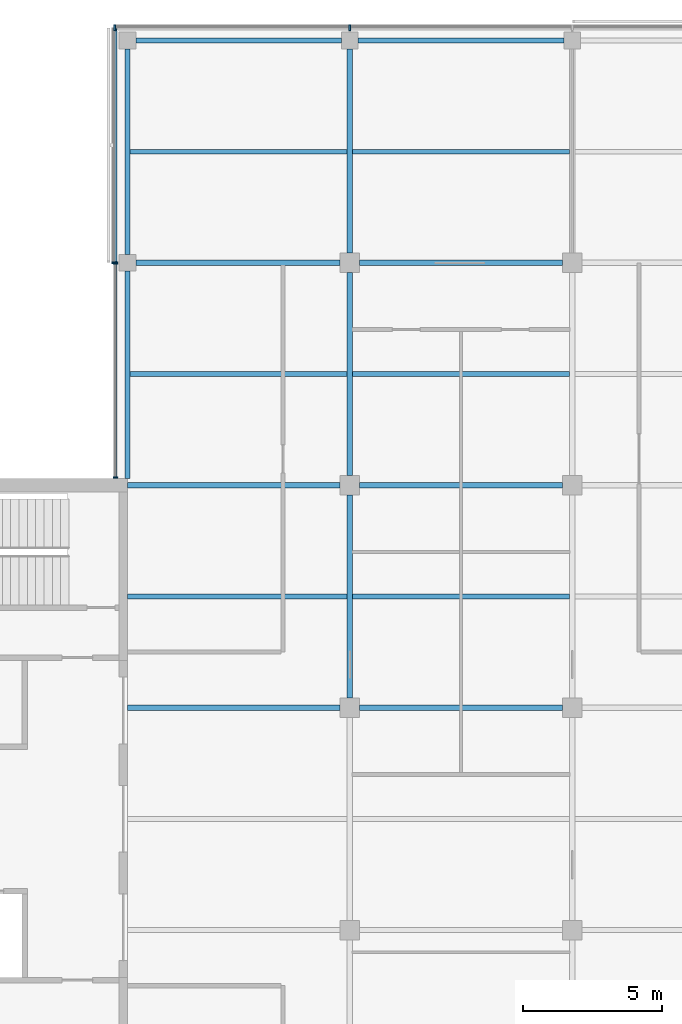
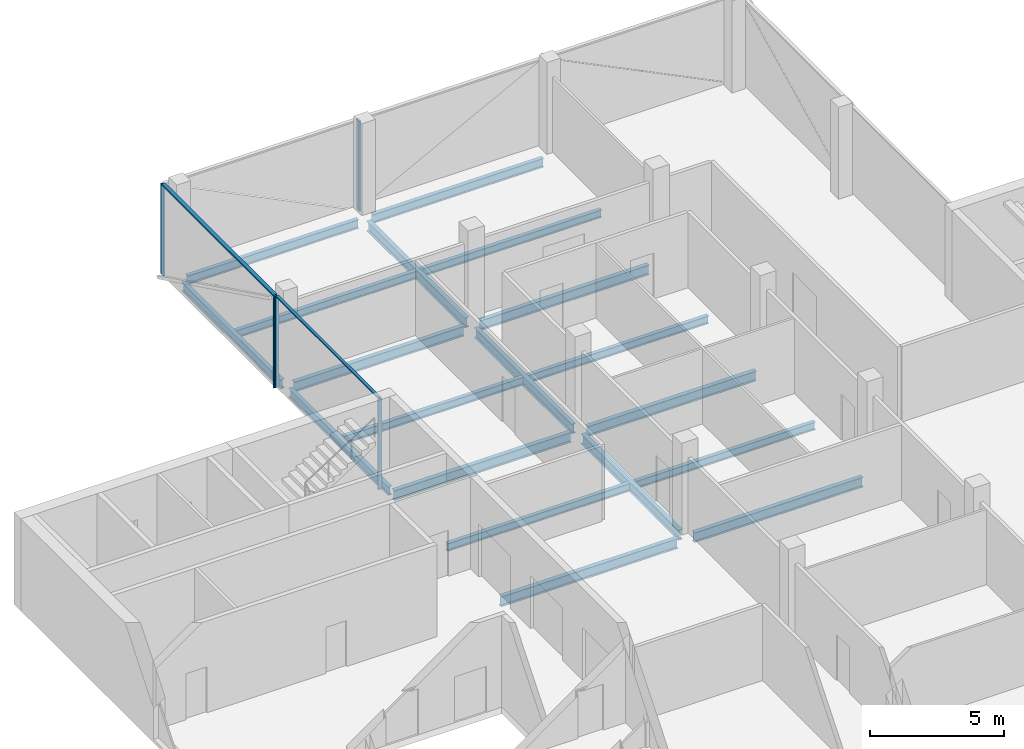
# One storey, part 5 of 15: 19 beams, 7 members, 3 elements without a shape of their own.
"""IFC4 building model written with IfcOpenShell, lengths in metres."""

from ifc_helpers import new_model, si_unit, direction, frame, origin, origin_2d, place, context, subcontext, project, spatial, rectangle, i_section, extrude, material, material_profile, profile_set, type_object, element, aggregate, save


model = new_model("IFC4")

# Units and contexts
model_context = context("Model", 3, precision=1e-05, world=origin(), true_north=direction((0.0, 1.0)))
body_context = subcontext(model_context, "Body", "Model", "MODEL_VIEW")
ifc_project = project(units=[si_unit("LENGTHUNIT", "METRE"), si_unit("AREAUNIT", "SQUARE_METRE"), si_unit("VOLUMEUNIT", "CUBIC_METRE"), si_unit("PLANEANGLEUNIT", "RADIAN"), si_unit("MASSUNIT", "GRAM", prefix="KILO")], contexts=[model_context])

# Site, building, storey
site_placement = place(None, origin())
site = spatial("IfcSite", under=ifc_project, at=site_placement, CompositionType="ELEMENT")
building_placement = place(site_placement, origin())
building = spatial("IfcBuilding", under=site, at=building_placement, Name="Crosswind Convention Tower", CompositionType="ELEMENT")
storey_placement = place(building_placement, frame((0.0, 0.0, 261.89990234375)))
storey = spatial("IfcBuildingStorey", under=building, at=storey_placement, Name="L56", CompositionType="ELEMENT", Elevation=261.89990234375)

# Beams
ifc_material_1 = material(Name="Steel S355", Category="steel")
ifc_material_profile_1 = material_profile(ifc_material_1, i_section(OverallWidth=0.177734375, OverallDepth=0.406494140625, WebThickness=0.0078125, FlangeThickness=0.0126953125, FilletRadius=0.01025390625, at=origin_2d()), Name="UB 406x178x60")
ifc_profile_set_1 = profile_set([ifc_material_profile_1], Name="Steel S355")
beam_type_1 = type_object("IfcBeamType", Name="Edge beam UB 406x178x60", PredefinedType="SPANDREL", material=ifc_profile_set_1)
beam_1_placement = place(storey_placement, frame((113.0, 112.25, -0.503173828125), z_axis=(0.0, 1.0, 0.0), x_axis=(-1.0, 0.0, 0.0)))
element("IfcBeam", 1, at=beam_1_placement, inside=storey, type_object=beam_type_1, Name="B15 L56 edge beam 3", PredefinedType="SPANDREL", context=body_context, shape_type="SweptSolid", body=[
    extrude(i_section(OverallWidth=0.177734375, OverallDepth=0.406494140625, WebThickness=0.0078125, FlangeThickness=0.0126953125, FilletRadius=0.01025390625, at=origin_2d()), origin(), (0.0, 0.0, 1.0), 7.449951171875),
])
for number, where, z_axis, x_axis, name in (
    (2, (113.0, 120.300048828125, -0.503173828125), (0.0, 1.0, 0.0), (-1.0, 0.0, 0.0), "B15 L56 edge beam 4"),
    (3, (113.300048828125, 128.0, -0.503173828125), (1.0, 0.0, 0.0), (0.0, 1.0, 0.0), "B15 L56 edge beam 6"),
    (4, (121.300048828125, 128.0, -0.503173828125), (1.0, 0.0, 0.0), (0.0, 1.0, 0.0), "B15 L56 edge beam 8"),
):
    element("IfcBeam", number, at=place(storey_placement, frame(where, z_axis=z_axis, x_axis=x_axis)), inside=storey, type_object=beam_type_1, Name=name, PredefinedType="SPANDREL", context=body_context, shape_type="SweptSolid", body=[
        extrude(i_section(OverallWidth=0.177734375, OverallDepth=0.406494140625, WebThickness=0.0078125, FlangeThickness=0.0126953125, FilletRadius=0.01025390625, at=origin_2d()), origin(), (0.0, 0.0, 1.0), 7.39990234375),
    ])
ifc_material_profile_2 = material_profile(ifc_material_1, i_section(OverallWidth=0.18994140625, OverallDepth=0.45361328125, WebThickness=0.008544921875, FlangeThickness=0.0126953125, FilletRadius=0.01025390625, at=origin_2d()), Name="UB 457x191x67")
ifc_profile_set_2 = profile_set([ifc_material_profile_2], Name="Steel S355")
beam_type_2 = type_object("IfcBeamType", Name="Girder UB 457x191x67", PredefinedType="BEAM", material=ifc_profile_set_2)
beam_2_placement = place(storey_placement, frame((113.300048828125, 120.0, -0.526611328125), z_axis=(1.0, 0.0, 0.0), x_axis=(0.0, 1.0, 0.0)))
element("IfcBeam", 5, at=beam_2_placement, inside=storey, type_object=beam_type_2, Name="B1 L56 girder 2", PredefinedType="BEAM", context=body_context, shape_type="SweptSolid", body=[
    extrude(i_section(OverallWidth=0.18994140625, OverallDepth=0.45361328125, WebThickness=0.008544921875, FlangeThickness=0.0126953125, FilletRadius=0.01025390625, at=origin_2d()), origin(), (0.0, 0.0, 1.0), 7.349853515625),
])
for number, where, z_axis, x_axis, name in (
    (6, (121.0, 104.35009765625, -0.526611328125), (0.0, 1.0, 0.0), (-1.0, 0.0, 0.0), "B1 L56 girder 7"),
    (7, (121.0, 112.35009765625, -0.526611328125), (0.0, 1.0, 0.0), (-1.0, 0.0, 0.0), "B1 L56 girder 8"),
):
    element("IfcBeam", number, at=place(storey_placement, frame(where, z_axis=z_axis, x_axis=x_axis)), inside=storey, type_object=beam_type_2, Name=name, PredefinedType="BEAM", context=body_context, shape_type="SweptSolid", body=[
        extrude(i_section(OverallWidth=0.18994140625, OverallDepth=0.45361328125, WebThickness=0.008544921875, FlangeThickness=0.0126953125, FilletRadius=0.01025390625, at=origin_2d()), origin(), (0.0, 0.0, 1.0), 7.2998046875),
    ])
beam_3_placement = place(storey_placement, frame((121.0, 120.35009765625, -0.526611328125), z_axis=(0.0, 1.0, 0.0), x_axis=(-1.0, 0.0, 0.0)))
element("IfcBeam", 8, at=beam_3_placement, inside=storey, type_object=beam_type_2, Name="B1 L56 girder 9", PredefinedType="BEAM", context=body_context, shape_type="SweptSolid", body=[
    extrude(i_section(OverallWidth=0.18994140625, OverallDepth=0.45361328125, WebThickness=0.008544921875, FlangeThickness=0.0126953125, FilletRadius=0.01025390625, at=origin_2d()), origin(), (0.0, 0.0, 1.0), 7.349853515625),
])
for number, where, z_axis, x_axis, name in (
    (9, (121.35009765625, 104.0, -0.526611328125), (1.0, 0.0, 0.0), (0.0, 1.0, 0.0), "B1 L56 girder 13"),
    (10, (121.35009765625, 112.0, -0.526611328125), (1.0, 0.0, 0.0), (0.0, 1.0, 0.0), "B1 L56 girder 14"),
    (11, (121.35009765625, 120.0, -0.526611328125), (1.0, 0.0, 0.0), (0.0, 1.0, 0.0), "B1 L56 girder 15"),
):
    element("IfcBeam", number, at=place(storey_placement, frame(where, z_axis=z_axis, x_axis=x_axis)), inside=storey, type_object=beam_type_2, Name=name, PredefinedType="BEAM", context=body_context, shape_type="SweptSolid", body=[
        extrude(i_section(OverallWidth=0.18994140625, OverallDepth=0.45361328125, WebThickness=0.008544921875, FlangeThickness=0.0126953125, FilletRadius=0.01025390625, at=origin_2d()), origin(), (0.0, 0.0, 1.0), 7.2998046875),
    ])
ifc_material_profile_3 = material_profile(ifc_material_1, i_section(OverallWidth=0.1904296875, OverallDepth=0.457275390625, WebThickness=0.009033203125, FlangeThickness=0.014404296875, FilletRadius=0.01025390625, at=origin_2d()), Name="UB 457x191x75")
ifc_profile_set_3 = profile_set([ifc_material_profile_3], Name="Steel S355")
beam_type_3 = type_object("IfcBeamType", Name="Girder at core wall UB 457x191x75", PredefinedType="BEAM", material=ifc_profile_set_3)
for number, where, z_axis, x_axis, name in (
    (12, (113.0, 104.0, -0.528564453125), (1.0, 0.0, 0.0), (0.0, 1.0, 0.0), "B22 L56 girder at core wall 3"),
    (13, (113.0, 112.0, -0.528564453125), (1.0, 0.0, 0.0), (0.0, 1.0, 0.0), "B22 L56 girder at core wall 4"),
):
    element("IfcBeam", number, at=place(storey_placement, frame(where, z_axis=z_axis, x_axis=x_axis)), inside=storey, type_object=beam_type_3, Name=name, PredefinedType="BEAM", context=body_context, shape_type="SweptSolid", body=[
        extrude(i_section(OverallWidth=0.1904296875, OverallDepth=0.457275390625, WebThickness=0.009033203125, FlangeThickness=0.014404296875, FilletRadius=0.01025390625, at=origin_2d()), origin(), (0.0, 0.0, 1.0), 7.64990234375),
    ])

# Curtain wall, members
ifc_material_2 = material(Name="Aluminium unitised curtain wall", Category="aluminium")
curtain_wall_type_1 = type_object("IfcCurtainWallType", Name="CORE END SLOT WALL 160", PredefinedType="USERDEFINED", material=ifc_material_2)
curtain_wall_1_placement = place(storey_placement, origin())
curtain_wall_1 = element("IfcCurtainWall", 14, at=curtain_wall_1_placement, inside=storey, type_object=curtain_wall_type_1, Name="CW6 L56 N-W.1-2 slot", ObjectType="UNITISED", PredefinedType="USERDEFINED")
ifc_material_3 = material(Name="Aluminium mullion", Category="aluminium")
ifc_material_profile_4 = material_profile(ifc_material_3, rectangle(XDim=0.159912109375, YDim=0.050048828125, at=origin_2d()), Name="AL 160X50")
ifc_profile_set_4 = profile_set([ifc_material_profile_4], Name="Aluminium mullion")
member_type_1 = type_object("IfcMemberType", Name="MULLION 50X160", PredefinedType="MULLION", material=ifc_profile_set_4)
member_1_placement = place(storey_placement, frame((112.570068359375, 119.97509765625, -0.2998046875), z_axis=(0.0, 0.0, 1.0), x_axis=(-1.0, 0.0, 0.0)))
member_1 = element("IfcMember", 15, at=member_1_placement, type_object=member_type_1, Name="CW6 mullion 1", PredefinedType="MULLION", context=body_context, shape_type="SweptSolid", body=[
    extrude(rectangle(XDim=0.159912109375, YDim=0.050048828125, at=origin_2d()), origin(), (0.0, 0.0, 1.0), 4.14990234375),
])
member_2_placement = place(storey_placement, frame((112.570068359375, 112.27490234375, -0.2998046875), z_axis=(0.0, 0.0, 1.0), x_axis=(-1.0, 0.0, 0.0)))
member_2 = element("IfcMember", 16, at=member_2_placement, type_object=member_type_1, Name="CW6 mullion 2", PredefinedType="MULLION", context=body_context, shape_type="SweptSolid", body=[
    extrude(rectangle(XDim=0.159912109375, YDim=0.050048828125, at=origin_2d()), origin(), (0.0, 0.0, 1.0), 4.14990234375),
])

curtain_wall_type_2 = type_object("IfcCurtainWallType", Name="OFFICE UNITISED WALL 220", PredefinedType="USERDEFINED", material=ifc_material_2)
curtain_wall_2_placement = place(storey_placement, origin())
curtain_wall_2 = element("IfcCurtainWall", 17, at=curtain_wall_2_placement, inside=storey, type_object=curtain_wall_type_2, Name="CW3 L56 N-TIP 1", ObjectType="UNITISED", PredefinedType="USERDEFINED")
ifc_material_profile_5 = material_profile(ifc_material_3, rectangle(XDim=0.219970703125, YDim=0.070068359375, at=origin_2d()), Name="AL 220X70")
ifc_profile_set_5 = profile_set([ifc_material_profile_5], Name="Aluminium mullion")
member_type_2 = type_object("IfcMemberType", Name="MULLION 70X220", PredefinedType="MULLION", material=ifc_profile_set_5)
member_3_placement = place(storey_placement, frame((121.0, 128.4599609375, -0.2998046875), z_axis=(0.0, 0.0, 1.0), x_axis=(0.0, 1.0, 0.0)))
member_3 = element("IfcMember", 18, at=member_3_placement, type_object=member_type_2, Name="CW3 mullion 3", PredefinedType="MULLION", context=body_context, shape_type="SweptSolid", body=[
    extrude(rectangle(XDim=0.219970703125, YDim=0.070068359375, at=origin_2d()), origin(), (0.0, 0.0, 1.0), 4.1298828125),
])
member_4_placement = place(storey_placement, frame((112.5400390625, 128.4599609375, -0.2998046875), z_axis=(0.0, 0.0, 1.0), x_axis=(0.0, 1.0, 0.0)))
member_4 = element("IfcMember", 19, at=member_4_placement, type_object=member_type_2, Name="CW3 mullion 4", PredefinedType="MULLION", context=body_context, shape_type="SweptSolid", body=[
    extrude(rectangle(XDim=0.219970703125, YDim=0.070068359375, at=origin_2d()), origin(), (0.0, 0.0, 1.0), 4.1298828125),
])
aggregate(curtain_wall_2, [member_3, member_4])

# Curtain wall, member
curtain_wall_3_placement = place(storey_placement, origin())
curtain_wall_3 = element("IfcCurtainWall", 20, at=curtain_wall_3_placement, inside=storey, type_object=curtain_wall_type_2, Name="CW3 L56 N-W 1", ObjectType="UNITISED", PredefinedType="USERDEFINED")
member_5_placement = place(storey_placement, frame((112.5400390625, 120.0, -0.2998046875), z_axis=(0.0, 0.0, 1.0), x_axis=(-1.0, 0.0, 0.0)))
member_5 = element("IfcMember", 21, at=member_5_placement, type_object=member_type_2, Name="CW3 mullion 2", PredefinedType="MULLION", context=body_context, shape_type="SweptSolid", body=[
    extrude(rectangle(XDim=0.219970703125, YDim=0.070068359375, at=origin_2d()), origin(), (0.0, 0.0, 1.0), 4.1298828125),
])

# Beams
ifc_material_profile_6 = material_profile(ifc_material_1, i_section(OverallWidth=0.17138671875, OverallDepth=0.355712890625, WebThickness=0.00732421875, FlangeThickness=0.011474609375, FilletRadius=0.01025390625, at=origin_2d()), Name="UB 356x171x51")
ifc_profile_set_6 = profile_set([ifc_material_profile_6], Name="Steel S355")
beam_type_4 = type_object("IfcBeamType", Name="Secondary beam UB 356x171x51", PredefinedType="JOIST", material=ifc_profile_set_6)
beam_4_placement = place(storey_placement, frame((113.0, 108.0, -0.477783203125), z_axis=(1.0, 0.0, 0.0), x_axis=(0.0, 1.0, 0.0)))
element("IfcBeam", 22, at=beam_4_placement, inside=storey, type_object=beam_type_4, Name="B8 L56 secondary beam 3", PredefinedType="JOIST", context=body_context, shape_type="SweptSolid", body=[
    extrude(i_section(OverallWidth=0.17138671875, OverallDepth=0.355712890625, WebThickness=0.00732421875, FlangeThickness=0.011474609375, FilletRadius=0.01025390625, at=origin_2d()), origin(), (0.0, 0.0, 1.0), 7.905029296875),
])
for number, where, z_axis, x_axis, name in (
    (23, (113.0888671875, 116.0, -0.477783203125), (1.0, 0.0, 0.0), (0.0, 1.0, 0.0), "B8 L56 secondary beam 6"),
    (24, (113.0888671875, 124.0, -0.477783203125), (1.0, 0.0, 0.0), (0.0, 1.0, 0.0), "B8 L56 secondary beam 7"),
):
    element("IfcBeam", number, at=place(storey_placement, frame(where, z_axis=z_axis, x_axis=x_axis)), inside=storey, type_object=beam_type_4, Name=name, PredefinedType="JOIST", context=body_context, shape_type="SweptSolid", body=[
        extrude(i_section(OverallWidth=0.17138671875, OverallDepth=0.355712890625, WebThickness=0.00732421875, FlangeThickness=0.011474609375, FilletRadius=0.01025390625, at=origin_2d()), origin(), (0.0, 0.0, 1.0), 7.816162109375),
    ])
for number, where, z_axis, x_axis, name in (
    (25, (121.094970703125, 108.0, -0.477783203125), (1.0, 0.0, 0.0), (0.0, 1.0, 0.0), "B8 L56 secondary beam 12"),
    (26, (121.094970703125, 116.0, -0.477783203125), (1.0, 0.0, 0.0), (0.0, 1.0, 0.0), "B8 L56 secondary beam 13"),
    (27, (121.094970703125, 124.0, -0.477783203125), (1.0, 0.0, 0.0), (0.0, 1.0, 0.0), "B8 L56 secondary beam 14"),
):
    element("IfcBeam", number, at=place(storey_placement, frame(where, z_axis=z_axis, x_axis=x_axis)), inside=storey, type_object=beam_type_4, Name=name, PredefinedType="JOIST", context=body_context, shape_type="SweptSolid", body=[
        extrude(i_section(OverallWidth=0.17138671875, OverallDepth=0.355712890625, WebThickness=0.00732421875, FlangeThickness=0.011474609375, FilletRadius=0.01025390625, at=origin_2d()), origin(), (0.0, 0.0, 1.0), 7.81005859375),
    ])

# Member
ifc_material_4 = material(Name="Aluminium transom", Category="aluminium")
ifc_material_profile_7 = material_profile(ifc_material_4, rectangle(XDim=0.1201171875, YDim=0.050048828125, at=origin_2d()), Name="AL 120X50")
ifc_profile_set_7 = profile_set([ifc_material_profile_7], Name="Aluminium transom")
member_type_3 = type_object("IfcMemberType", Name="TRANSOM 50X120", PredefinedType="USERDEFINED", material=ifc_profile_set_7)
member_6_placement = place(storey_placement, frame((112.570068359375, 119.949951171875, 3.875), z_axis=(0.0, -1.0, 0.0), x_axis=(1.0, 0.0, 0.0)))
member_6 = element("IfcMember", 28, at=member_6_placement, type_object=member_type_3, Name="CW6 transom", ObjectType="TRANSOM", PredefinedType="USERDEFINED", context=body_context, shape_type="SweptSolid", body=[
    extrude(rectangle(XDim=0.1201171875, YDim=0.050048828125, at=origin_2d()), origin(), (0.0, 0.0, 1.0), 7.64990234375),
])

aggregate(curtain_wall_1, [member_1, member_2, member_6])

ifc_material_profile_8 = material_profile(ifc_material_4, rectangle(XDim=0.159912109375, YDim=0.070068359375, at=origin_2d()), Name="AL 160X70")
ifc_profile_set_8 = profile_set([ifc_material_profile_8], Name="Aluminium transom")
member_type_4 = type_object("IfcMemberType", Name="TRANSOM 70X160", PredefinedType="USERDEFINED", material=ifc_profile_set_8)
member_7_placement = place(storey_placement, frame((112.5400390625, 128.425048828125, 3.864990234375), z_axis=(0.0, -1.0, 0.0), x_axis=(1.0, 0.0, 0.0)))
member_7 = element("IfcMember", 29, at=member_7_placement, type_object=member_type_4, Name="CW3 transom", ObjectType="TRANSOM", PredefinedType="USERDEFINED", context=body_context, shape_type="SweptSolid", body=[
    extrude(rectangle(XDim=0.159912109375, YDim=0.070068359375, at=origin_2d()), origin(), (0.0, 0.0, 1.0), 8.39013671875),
])

aggregate(curtain_wall_3, [member_5, member_7])

save(model, "model.ifc")
